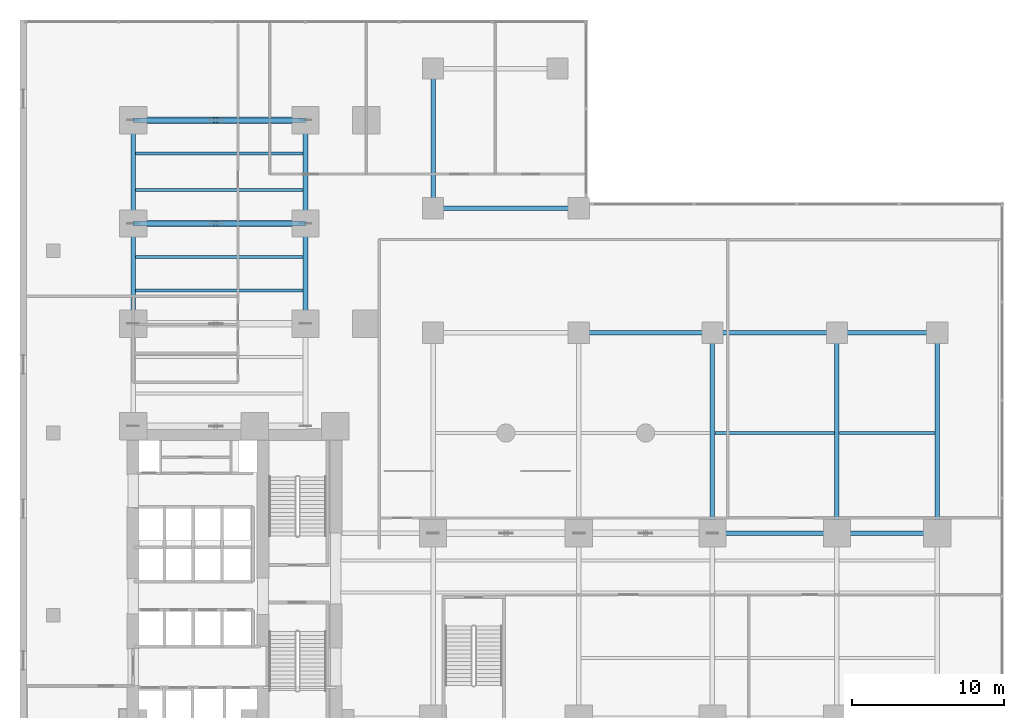
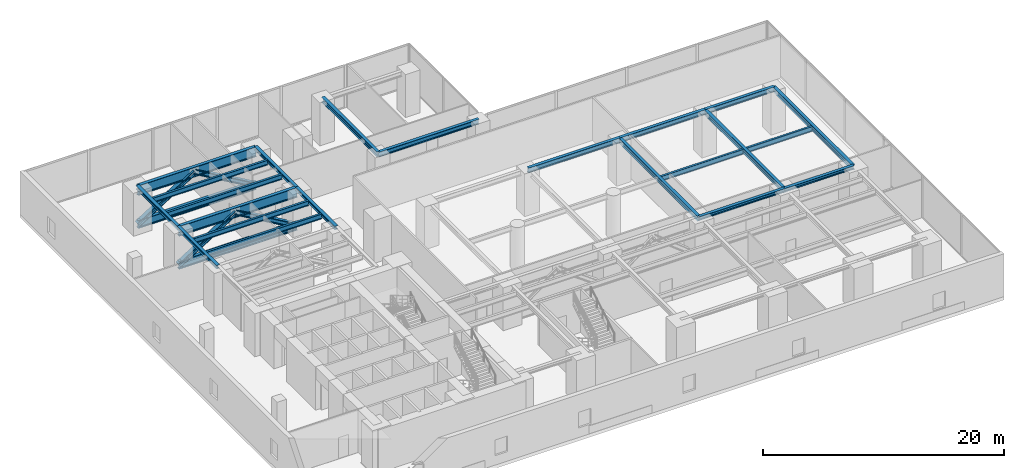
# One storey, part 2 of 18: 24 beams, 4 members.
"""IFC4 building model written with IfcOpenShell, lengths in metres."""

from ifc_helpers import new_model, si_unit, direction, frame, origin, origin_2d, place, context, subcontext, project, spatial, i_section, extrude, material, material_profile, profile_set, type_object, element, save


model = new_model("IFC4")

# Units and contexts
model_context = context("Model", 3, precision=1e-05, world=origin(), true_north=direction((0.0, 1.0)))
body_context = subcontext(model_context, "Body", "Model", "MODEL_VIEW")
ifc_project = project(units=[si_unit("LENGTHUNIT", "METRE"), si_unit("AREAUNIT", "SQUARE_METRE"), si_unit("VOLUMEUNIT", "CUBIC_METRE"), si_unit("PLANEANGLEUNIT", "RADIAN"), si_unit("MASSUNIT", "GRAM", prefix="KILO")], contexts=[model_context])

# Site, building, storey
site_placement = place(None, origin())
site = spatial("IfcSite", under=ifc_project, at=site_placement, CompositionType="ELEMENT")
building_placement = place(site_placement, origin())
building = spatial("IfcBuilding", under=site, at=building_placement, Name="Kolvaren Waterfront Exchange", CompositionType="ELEMENT")
storey_placement = place(building_placement, frame((0.0, 0.0, 24.800048828125)))
storey = spatial("IfcBuildingStorey", under=building, at=storey_placement, Name="L06", CompositionType="ELEMENT", Elevation=24.800048828125)

# Beams
ifc_material_1 = material(Name="Steel S355", Category="steel")
ifc_material_profile_1 = material_profile(ifc_material_1, i_section(OverallWidth=0.300048828125, OverallDepth=0.360107421875, WebThickness=0.012451171875, FlangeThickness=0.0224609375, FilletRadius=0.027099609375, at=origin_2d()), Name="HEB360")
ifc_profile_set_1 = profile_set([ifc_material_profile_1], Name="Steel S355")
beam_type_1 = type_object("IfcBeamType", Name="STR-BM-HEB360", PredefinedType="SPANDREL", material=ifc_profile_set_1)
beam_1_placement = place(storey_placement, frame((7.449951171875, 31.199951171875, 4.169921875), z_axis=(0.0, 1.0, 0.0), x_axis=(-1.0, 0.0, 0.0)))
element("IfcBeam", 1, at=beam_1_placement, inside=storey, type_object=beam_type_1, Name="L06 north-arm edge beam 2", PredefinedType="SPANDREL", context=body_context, shape_type="SweptSolid", body=[
    extrude(i_section(OverallWidth=0.300048828125, OverallDepth=0.360107421875, WebThickness=0.012451171875, FlangeThickness=0.0224609375, FilletRadius=0.027099609375, at=origin_2d()), origin(), (0.0, 0.0, 1.0), 6.60009765625),
])
beam_2_placement = place(storey_placement, frame((7.449951171875, 37.800048828125, 4.169921875), z_axis=(0.0, 1.0, 0.0), x_axis=(-1.0, 0.0, 0.0)))
element("IfcBeam", 2, at=beam_2_placement, inside=storey, type_object=beam_type_1, Name="L06 north-arm edge beam 3", PredefinedType="SPANDREL", context=body_context, shape_type="SweptSolid", body=[
    extrude(i_section(OverallWidth=0.300048828125, OverallDepth=0.360107421875, WebThickness=0.012451171875, FlangeThickness=0.0224609375, FilletRadius=0.027099609375, at=origin_2d()), origin(), (0.0, 0.0, 1.0), 6.800048828125),
])
beam_3_placement = place(storey_placement, frame((18.800048828125, 31.199951171875, 4.169921875), z_axis=(0.0, 1.0, 0.0), x_axis=(-1.0, 0.0, 0.0)))
element("IfcBeam", 3, at=beam_3_placement, inside=storey, type_object=beam_type_1, Name="L06 north-arm edge beam 2", PredefinedType="SPANDREL", context=body_context, shape_type="SweptSolid", body=[
    extrude(i_section(OverallWidth=0.300048828125, OverallDepth=0.360107421875, WebThickness=0.012451171875, FlangeThickness=0.0224609375, FilletRadius=0.027099609375, at=origin_2d()), origin(), (0.0, 0.0, 1.0), 6.60009765625),
])
beam_4_placement = place(storey_placement, frame((18.800048828125, 37.800048828125, 4.169921875), z_axis=(0.0, 1.0, 0.0), x_axis=(-1.0, 0.0, 0.0)))
element("IfcBeam", 4, at=beam_4_placement, inside=storey, type_object=beam_type_1, Name="L06 north-arm edge beam 3", PredefinedType="SPANDREL", context=body_context, shape_type="SweptSolid", body=[
    extrude(i_section(OverallWidth=0.300048828125, OverallDepth=0.360107421875, WebThickness=0.012451171875, FlangeThickness=0.0224609375, FilletRadius=0.027099609375, at=origin_2d()), origin(), (0.0, 0.0, 1.0), 6.800048828125),
])
beam_5_placement = place(storey_placement, frame((45.60009765625, 17.39990234375, 4.169921875), z_axis=(1.0, 0.0, 0.0), x_axis=(0.0, 1.0, 0.0)))
element("IfcBeam", 5, at=beam_5_placement, inside=storey, type_object=beam_type_1, Name="L06 east-arm spandrel N4", PredefinedType="SPANDREL", context=body_context, shape_type="SweptSolid", body=[
    extrude(i_section(OverallWidth=0.300048828125, OverallDepth=0.360107421875, WebThickness=0.012451171875, FlangeThickness=0.0224609375, FilletRadius=0.027099609375, at=origin_2d()), origin(), (0.0, 0.0, 1.0), 8.199951171875),
])
beam_6_placement = place(storey_placement, frame((53.800048828125, 17.39990234375, 4.169921875), z_axis=(1.0, 0.0, 0.0), x_axis=(0.0, 1.0, 0.0)))
element("IfcBeam", 6, at=beam_6_placement, inside=storey, type_object=beam_type_1, Name="L06 east-arm spandrel N5", PredefinedType="SPANDREL", context=body_context, shape_type="SweptSolid", body=[
    extrude(i_section(OverallWidth=0.300048828125, OverallDepth=0.360107421875, WebThickness=0.012451171875, FlangeThickness=0.0224609375, FilletRadius=0.027099609375, at=origin_2d()), origin(), (0.0, 0.0, 1.0), 6.599853515625),
])
ifc_material_profile_2 = material_profile(ifc_material_1, i_section(OverallWidth=0.300048828125, OverallDepth=0.5, WebThickness=0.014404296875, FlangeThickness=0.028076171875, FilletRadius=0.027099609375, at=origin_2d()), Name="HEB500")
ifc_profile_set_2 = profile_set([ifc_material_profile_2], Name="Steel S355")
beam_type_2 = type_object("IfcBeamType", Name="STR-BM-HEB500", PredefinedType="BEAM", material=ifc_profile_set_2)
for number, where, z_axis, x_axis, name in (
    (7, (45.60009765625, 17.39990234375, 4.099853515625), (0.0, 1.0, 0.0), (-1.0, 0.0, 0.0), "L06 podium hall girder X45"),
    (8, (53.800048828125, 17.39990234375, 4.099853515625), (0.0, 1.0, 0.0), (-1.0, 0.0, 0.0), "L06 podium hall girder X53"),
    (9, (60.39990234375, 17.39990234375, 4.099853515625), (0.0, 1.0, 0.0), (-1.0, 0.0, 0.0), "L06 podium hall girder X60"),
):
    element("IfcBeam", number, at=place(storey_placement, frame(where, z_axis=z_axis, x_axis=x_axis)), inside=storey, type_object=beam_type_2, Name=name, PredefinedType="BEAM", context=body_context, shape_type="SweptSolid", body=[
        extrude(i_section(OverallWidth=0.300048828125, OverallDepth=0.5, WebThickness=0.014404296875, FlangeThickness=0.028076171875, FilletRadius=0.027099609375, at=origin_2d()), origin(), (0.0, 0.0, 1.0), 13.2001953125),
    ])
beam_7_placement = place(storey_placement, frame((36.800048828125, 30.60009765625, 4.099853515625), z_axis=(1.0, 0.0, 0.0), x_axis=(0.0, 1.0, 0.0)))
element("IfcBeam", 10, at=beam_7_placement, inside=storey, type_object=beam_type_2, Name="L06 podium longitudinal beam 2", PredefinedType="BEAM", context=body_context, shape_type="SweptSolid", body=[
    extrude(i_section(OverallWidth=0.300048828125, OverallDepth=0.5, WebThickness=0.014404296875, FlangeThickness=0.028076171875, FilletRadius=0.027099609375, at=origin_2d()), origin(), (0.0, 0.0, 1.0), 8.800048828125),
])
beam_8_placement = place(storey_placement, frame((45.60009765625, 30.60009765625, 4.099853515625), z_axis=(1.0, 0.0, 0.0), x_axis=(0.0, 1.0, 0.0)))
element("IfcBeam", 11, at=beam_8_placement, inside=storey, type_object=beam_type_2, Name="L06 podium longitudinal beam 3", PredefinedType="BEAM", context=body_context, shape_type="SweptSolid", body=[
    extrude(i_section(OverallWidth=0.300048828125, OverallDepth=0.5, WebThickness=0.014404296875, FlangeThickness=0.028076171875, FilletRadius=0.027099609375, at=origin_2d()), origin(), (0.0, 0.0, 1.0), 8.199951171875),
])
beam_9_placement = place(storey_placement, frame((53.800048828125, 30.60009765625, 4.099853515625), z_axis=(1.0, 0.0, 0.0), x_axis=(0.0, 1.0, 0.0)))
element("IfcBeam", 12, at=beam_9_placement, inside=storey, type_object=beam_type_2, Name="L06 podium longitudinal beam 4", PredefinedType="BEAM", context=body_context, shape_type="SweptSolid", body=[
    extrude(i_section(OverallWidth=0.300048828125, OverallDepth=0.5, WebThickness=0.014404296875, FlangeThickness=0.028076171875, FilletRadius=0.027099609375, at=origin_2d()), origin(), (0.0, 0.0, 1.0), 6.599853515625),
])
beam_10_placement = place(storey_placement, frame((27.199951171875, 38.800048828125, 4.099853515625), z_axis=(1.0, 0.0, 0.0), x_axis=(0.0, 1.0, 0.0)))
element("IfcBeam", 13, at=beam_10_placement, inside=storey, type_object=beam_type_2, Name="L06 podium north girder 1", PredefinedType="BEAM", context=body_context, shape_type="SweptSolid", body=[
    extrude(i_section(OverallWidth=0.300048828125, OverallDepth=0.5, WebThickness=0.014404296875, FlangeThickness=0.028076171875, FilletRadius=0.027099609375, at=origin_2d()), origin(), (0.0, 0.0, 1.0), 9.60009765625),
])
beam_11_placement = place(storey_placement, frame((27.199951171875, 38.800048828125, 4.099853515625), z_axis=(0.0, 1.0, 0.0), x_axis=(-1.0, 0.0, 0.0)))
element("IfcBeam", 14, at=beam_11_placement, inside=storey, type_object=beam_type_2, Name="L06 podium west-link girder", PredefinedType="BEAM", context=body_context, shape_type="SweptSolid", body=[
    extrude(i_section(OverallWidth=0.300048828125, OverallDepth=0.5, WebThickness=0.014404296875, FlangeThickness=0.028076171875, FilletRadius=0.027099609375, at=origin_2d()), origin(), (0.0, 0.0, 1.0), 9.199951171875),
])
ifc_material_profile_3 = material_profile(ifc_material_1, i_section(OverallWidth=0.199951171875, OverallDepth=0.5, WebThickness=0.01025390625, FlangeThickness=0.01611328125, FilletRadius=0.02099609375, at=origin_2d()), Name="IPE500")
ifc_profile_set_3 = profile_set([ifc_material_profile_3], Name="Steel S355")
beam_type_3 = type_object("IfcBeamType", Name="STR-BM-IPE500", PredefinedType="JOIST", material=ifc_profile_set_3)
for number, where, z_axis, x_axis, name in (
    (15, (7.60205078125, 33.39990234375, 4.099853515625), (1.0, 0.0, 0.0), (0.0, 1.0, 0.0), "L06 north-arm composite joist 3"),
    (16, (7.60205078125, 35.60009765625, 4.099853515625), (1.0, 0.0, 0.0), (0.0, 1.0, 0.0), "L06 north-arm composite joist 4"),
    (17, (7.60205078125, 40.0, 4.099853515625), (1.0, 0.0, 0.0), (0.0, 1.0, 0.0), "L06 north-arm composite joist 5"),
    (18, (7.60205078125, 42.39990234375, 4.099853515625), (1.0, 0.0, 0.0), (0.0, 1.0, 0.0), "L06 north-arm composite joist 6"),
):
    element("IfcBeam", number, at=place(storey_placement, frame(where, z_axis=z_axis, x_axis=x_axis)), inside=storey, type_object=beam_type_3, Name=name, PredefinedType="JOIST", context=body_context, shape_type="SweptSolid", body=[
        extrude(i_section(OverallWidth=0.199951171875, OverallDepth=0.5, WebThickness=0.01025390625, FlangeThickness=0.01611328125, FilletRadius=0.02099609375, at=origin_2d()), origin(), (0.0, 0.0, 1.0), 11.0458984375),
    ])
beam_12_placement = place(storey_placement, frame((45.751953125, 24.0, 4.099853515625), z_axis=(1.0, 0.0, 0.0), x_axis=(0.0, 1.0, 0.0)))
element("IfcBeam", 19, at=beam_12_placement, inside=storey, type_object=beam_type_3, Name="L06 podium trading joist 3", PredefinedType="JOIST", context=body_context, shape_type="SweptSolid", body=[
    extrude(i_section(OverallWidth=0.199951171875, OverallDepth=0.5, WebThickness=0.01025390625, FlangeThickness=0.01611328125, FilletRadius=0.02099609375, at=origin_2d()), origin(), (0.0, 0.0, 1.0), 7.89599609375),
])
beam_13_placement = place(storey_placement, frame((53.951904296875, 24.0, 4.099853515625), z_axis=(1.0, 0.0, 0.0), x_axis=(0.0, 1.0, 0.0)))
element("IfcBeam", 20, at=beam_13_placement, inside=storey, type_object=beam_type_3, Name="L06 podium trading joist 4", PredefinedType="JOIST", context=body_context, shape_type="SweptSolid", body=[
    extrude(i_section(OverallWidth=0.199951171875, OverallDepth=0.5, WebThickness=0.01025390625, FlangeThickness=0.01611328125, FilletRadius=0.02099609375, at=origin_2d()), origin(), (0.0, 0.0, 1.0), 6.296142578125),
])

# Members
ifc_material_2 = material(Name="Steel S460", Category="steel")
ifc_material_profile_4 = material_profile(ifc_material_2, i_section(OverallWidth=0.416015625, OverallDepth=0.446044921875, WebThickness=0.035888671875, FlangeThickness=0.055908203125, FilletRadius=0.014892578125, at=origin_2d()), Name="HD400x509")
ifc_profile_set_4 = profile_set([ifc_material_profile_4], Name="Steel S460")
member_type = type_object("IfcMemberType", Name="STR-BR-HD509", PredefinedType="BRACE", material=ifc_profile_set_4)
member_1_placement = place(storey_placement, frame((7.449951171875, 37.800048828125, 0.406982421875), z_axis=(0.845706690129, 0.0, 0.533648005965), x_axis=(0.0, 1.0, 0.0)))
element("IfcMember", 21, at=member_1_placement, inside=storey, type_object=member_type, Name="L06 transfer truss diagonal TT3.1", PredefinedType="BRACE", context=body_context, shape_type="SweptSolid", body=[
    extrude(i_section(OverallWidth=0.416015625, OverallDepth=0.446044921875, WebThickness=0.035888671875, FlangeThickness=0.055908203125, FilletRadius=0.014892578125, at=origin_2d()), origin(), (0.0, 0.0, 1.0), 6.4443359375),
])
member_2_placement = place(storey_placement, frame((18.800048828125, 37.800048828125, 0.406982421875), z_axis=(-0.863956482991, 0.0, 0.503566475748), x_axis=(0.0, -1.0, 0.0)))
element("IfcMember", 22, at=member_2_placement, inside=storey, type_object=member_type, Name="L06 transfer truss diagonal TT3.2", PredefinedType="BRACE", context=body_context, shape_type="SweptSolid", body=[
    extrude(i_section(OverallWidth=0.416015625, OverallDepth=0.446044921875, WebThickness=0.035888671875, FlangeThickness=0.055908203125, FilletRadius=0.014892578125, at=origin_2d()), origin(), (0.0, 0.0, 1.0), 6.8291015625),
])
member_3_placement = place(storey_placement, frame((7.449951171875, 44.60009765625, 0.406982421875), z_axis=(0.845706690129, 0.0, 0.533648005965), x_axis=(0.0, 1.0, 0.0)))
element("IfcMember", 23, at=member_3_placement, inside=storey, type_object=member_type, Name="L06 transfer truss diagonal TT4.1", PredefinedType="BRACE", context=body_context, shape_type="SweptSolid", body=[
    extrude(i_section(OverallWidth=0.416015625, OverallDepth=0.446044921875, WebThickness=0.035888671875, FlangeThickness=0.055908203125, FilletRadius=0.014892578125, at=origin_2d()), origin(), (0.0, 0.0, 1.0), 6.4443359375),
])
member_4_placement = place(storey_placement, frame((18.800048828125, 44.60009765625, 0.406982421875), z_axis=(-0.863956482991, 0.0, 0.503566475748), x_axis=(0.0, -1.0, 0.0)))
element("IfcMember", 24, at=member_4_placement, inside=storey, type_object=member_type, Name="L06 transfer truss diagonal TT4.2", PredefinedType="BRACE", context=body_context, shape_type="SweptSolid", body=[
    extrude(i_section(OverallWidth=0.416015625, OverallDepth=0.446044921875, WebThickness=0.035888671875, FlangeThickness=0.055908203125, FilletRadius=0.014892578125, at=origin_2d()), origin(), (0.0, 0.0, 1.0), 6.8291015625),
])

# Beams
ifc_material_profile_5 = material_profile(ifc_material_2, i_section(OverallWidth=0.302001953125, OverallDepth=1.008056640625, WebThickness=0.02099609375, FlangeThickness=0.0400390625, FilletRadius=0.030029296875, at=origin_2d()), Name="HEM1000")
ifc_profile_set_5 = profile_set([ifc_material_profile_5], Name="Steel S460")
beam_type_4 = type_object("IfcBeamType", Name="STR-TRG-HEM1000", PredefinedType="BEAM", material=ifc_profile_set_5)
for number, where, z_axis, x_axis, name in (
    (25, (7.449951171875, 37.800048828125, 3.845947265625), (1.0, 0.0, 0.0), (0.0, 1.0, 0.0), "L07 transfer girder TT3"),
    (26, (7.449951171875, 44.60009765625, 3.845947265625), (1.0, 0.0, 0.0), (0.0, 1.0, 0.0), "L07 transfer girder TT4"),
):
    element("IfcBeam", number, at=place(storey_placement, frame(where, z_axis=z_axis, x_axis=x_axis)), inside=storey, type_object=beam_type_4, Name=name, PredefinedType="BEAM", context=body_context, shape_type="SweptSolid", body=[
        extrude(i_section(OverallWidth=0.302001953125, OverallDepth=1.008056640625, WebThickness=0.02099609375, FlangeThickness=0.0400390625, FilletRadius=0.030029296875, at=origin_2d()), origin(), (0.0, 0.0, 1.0), 11.35009765625),
    ])
ifc_material_profile_6 = material_profile(ifc_material_2, i_section(OverallWidth=0.302978515625, OverallDepth=0.81396484375, WebThickness=0.02099609375, FlangeThickness=0.0400390625, FilletRadius=0.030029296875, at=origin_2d()), Name="HEM800")
ifc_profile_set_6 = profile_set([ifc_material_profile_6], Name="Steel S460")
beam_type_5 = type_object("IfcBeamType", Name="STR-TRG-HEM800", PredefinedType="BEAM", material=ifc_profile_set_6)
for number, where, z_axis, x_axis, name in (
    (27, (7.449951171875, 37.800048828125, 0.406982421875), (1.0, 0.0, 0.0), (0.0, 1.0, 0.0), "L06 transfer truss bottom chord TT3"),
    (28, (7.449951171875, 44.60009765625, 0.406982421875), (1.0, 0.0, 0.0), (0.0, 1.0, 0.0), "L06 transfer truss bottom chord TT4"),
):
    element("IfcBeam", number, at=place(storey_placement, frame(where, z_axis=z_axis, x_axis=x_axis)), inside=storey, type_object=beam_type_5, Name=name, PredefinedType="BEAM", context=body_context, shape_type="SweptSolid", body=[
        extrude(i_section(OverallWidth=0.302978515625, OverallDepth=0.81396484375, WebThickness=0.02099609375, FlangeThickness=0.0400390625, FilletRadius=0.030029296875, at=origin_2d()), origin(), (0.0, 0.0, 1.0), 11.35009765625),
    ])

save(model, "model.ifc")
